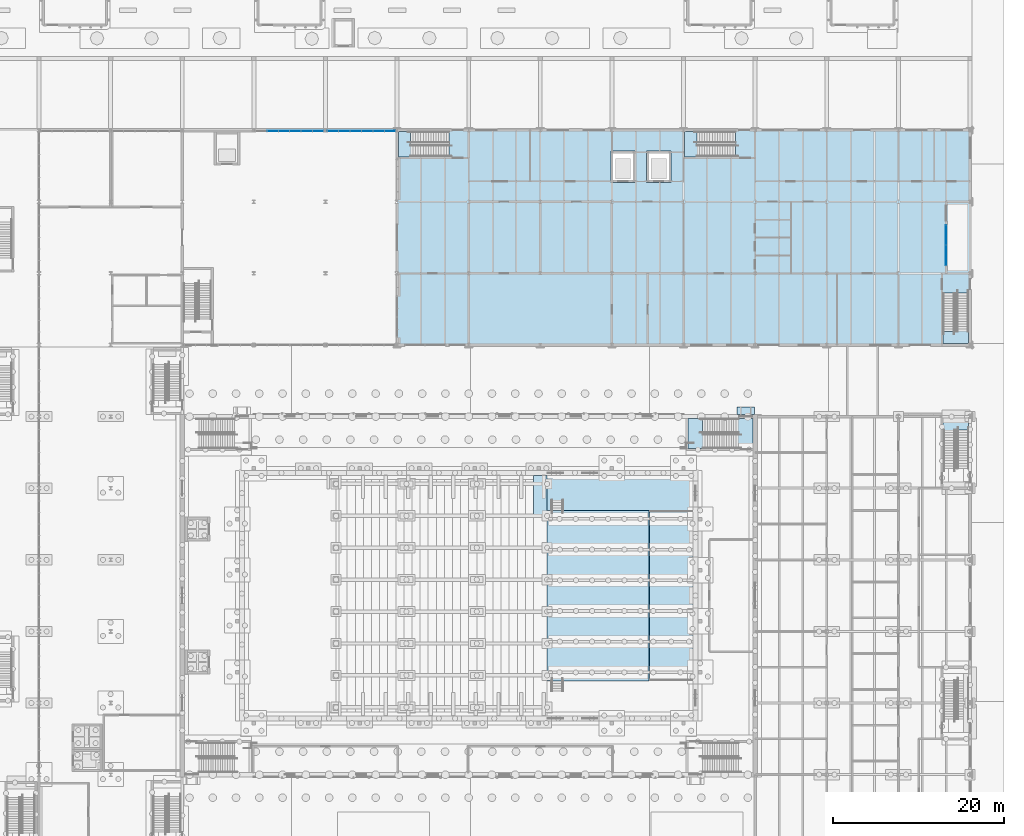
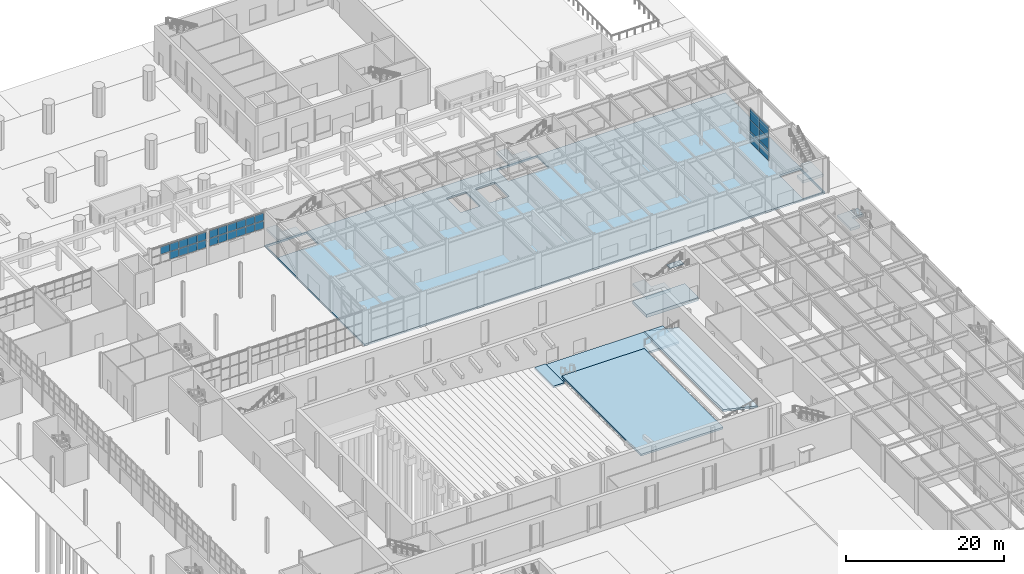
# One storey, part 52 of 127: 27 plates, 12 slabs, 8 elements without a shape of their own.
"""IFC4 building model written with IfcOpenShell, lengths in metres."""

from ifc_helpers import new_model, si_unit, direction, frame, origin, origin_2d, place, context, subcontext, project, spatial, polyline, rectangle, outline, extrude, material, layer, layer_set, type_object, element, aggregate, save


model = new_model("IFC4")

# Units and contexts
model_context = context("Model", 3, precision=1e-05, world=origin(), true_north=direction((0.0, 1.0)))
body_context = subcontext(model_context, "Body", "Model", "MODEL_VIEW")
ifc_project = project(units=[si_unit("LENGTHUNIT", "METRE"), si_unit("AREAUNIT", "SQUARE_METRE"), si_unit("VOLUMEUNIT", "CUBIC_METRE"), si_unit("PLANEANGLEUNIT", "RADIAN"), si_unit("MASSUNIT", "GRAM", prefix="KILO")], contexts=[model_context])

# Site, building, storey
site_placement = place(None, origin())
site = spatial("IfcSite", under=ifc_project, at=site_placement, CompositionType="ELEMENT")
building_placement = place(site_placement, origin())
building = spatial("IfcBuilding", under=site, at=building_placement, Name="Ljudholm Concert House", CompositionType="ELEMENT")
storey_placement = place(building_placement, origin())
storey = spatial("IfcBuildingStorey", under=building, at=storey_placement, Name="L00", CompositionType="ELEMENT", Elevation=0.0)

# Slab
ifc_material_1 = material(Name="Aluminium extrusion with warm-tone PVDF finish", Category="aluminium")
ifc_layer_1 = layer(ifc_material_1, 0.1201171875)
ifc_layer_set_1 = layer_set([ifc_layer_1], Name="Aluminium extrusion with warm-tone PVDF finish")
slab_type_1 = type_object("IfcSlabType", Name="CANOPY SOFFIT SLAB 120", PredefinedType="ROOF", material=ifc_layer_set_1)
slab_1_placement = place(storey_placement, frame((0.0, 0.0, 2.60009765625)))
element("IfcSlab", 1, at=slab_1_placement, inside=storey, type_object=slab_type_1, Name="Exit canopy lip", PredefinedType="ROOF", context=body_context, shape_type="SweptSolid", body=[
    extrude(outline(polyline([(94.300048828125, 96.64990234375), (96.300048828125, 96.64990234375), (96.300048828125, 97.550048828125), (94.300048828125, 97.550048828125), (94.300048828125, 96.64990234375)])), origin(), (0.0, 0.0, 1.0), 0.119873046875),
])

# Curtain wall, plates
ifc_material_2 = material(Name="Aluminium curtain wall with impact-rated laminated glass", Category="aluminium")
curtain_wall_type_1 = type_object("IfcCurtainWallType", Name="CURTAIN WALL 2400", PredefinedType="NOTDEFINED", material=ifc_material_2)
curtain_wall_1_placement = place(storey_placement, origin())
curtain_wall_1 = element("IfcCurtainWall", 2, at=curtain_wall_1_placement, inside=storey, type_object=curtain_wall_type_1, Name="Curtain wall", PredefinedType="NOTDEFINED")
ifc_material_3 = material(Name="Impact-rated laminated glass", Category="glass")
ifc_layer_2 = layer(ifc_material_3, 0.028076171875)
ifc_layer_set_2 = layer_set([ifc_layer_2], Name="Impact-rated laminated glass")
plate_type = type_object("IfcPlateType", Name="CURTAIN PANEL 28", PredefinedType="CURTAIN_PANEL", material=ifc_layer_set_2)
plate_1_placement = place(storey_placement, frame((118.800048828125, 115.31494140625, 0.06005859375), z_axis=(0.0, 0.0, 1.0), x_axis=(0.0, 1.0, 0.0)))
plate_1 = element("IfcPlate", 3, at=plate_1_placement, type_object=plate_type, Name="Curtain wall panel", PredefinedType="CURTAIN_PANEL", context=body_context, shape_type="SweptSolid", body=[
    extrude(rectangle(XDim=2.31005859375, YDim=0.028076171875, at=origin_2d()), origin(), (0.0, 0.0, 1.0), 1.7099609375),
])
plate_2_placement = place(storey_placement, frame((118.800048828125, 115.31494140625, 1.830078125), z_axis=(0.0, 0.0, 1.0), x_axis=(0.0, 1.0, 0.0)))
plate_2 = element("IfcPlate", 4, at=plate_2_placement, type_object=plate_type, Name="Curtain wall panel", PredefinedType="CURTAIN_PANEL", context=body_context, shape_type="SweptSolid", body=[
    extrude(rectangle(XDim=2.31005859375, YDim=0.028076171875, at=origin_2d()), origin(), (0.0, 0.0, 1.0), 1.739990234375),
])
plate_3_placement = place(storey_placement, frame((118.800048828125, 115.31494140625, 3.630126953125), z_axis=(0.0, 0.0, 1.0), x_axis=(0.0, 1.0, 0.0)))
plate_3 = element("IfcPlate", 5, at=plate_3_placement, type_object=plate_type, Name="Curtain wall panel", PredefinedType="CURTAIN_PANEL", context=body_context, shape_type="SweptSolid", body=[
    extrude(rectangle(XDim=2.31005859375, YDim=0.028076171875, at=origin_2d()), origin(), (0.0, 0.0, 1.0), 1.7099609375),
])
plate_4_placement = place(storey_placement, frame((118.800048828125, 117.68505859375, 0.06005859375), z_axis=(0.0, 0.0, 1.0), x_axis=(0.0, 1.0, 0.0)))
plate_4 = element("IfcPlate", 6, at=plate_4_placement, type_object=plate_type, Name="Curtain wall panel", PredefinedType="CURTAIN_PANEL", context=body_context, shape_type="SweptSolid", body=[
    extrude(rectangle(XDim=2.31005859375, YDim=0.028076171875, at=origin_2d()), origin(), (0.0, 0.0, 1.0), 1.7099609375),
])
plate_5_placement = place(storey_placement, frame((118.800048828125, 117.68505859375, 1.830078125), z_axis=(0.0, 0.0, 1.0), x_axis=(0.0, 1.0, 0.0)))
plate_5 = element("IfcPlate", 7, at=plate_5_placement, type_object=plate_type, Name="Curtain wall panel", PredefinedType="CURTAIN_PANEL", context=body_context, shape_type="SweptSolid", body=[
    extrude(rectangle(XDim=2.31005859375, YDim=0.028076171875, at=origin_2d()), origin(), (0.0, 0.0, 1.0), 1.739990234375),
])
plate_6_placement = place(storey_placement, frame((118.800048828125, 117.68505859375, 3.630126953125), z_axis=(0.0, 0.0, 1.0), x_axis=(0.0, 1.0, 0.0)))
plate_6 = element("IfcPlate", 8, at=plate_6_placement, type_object=plate_type, Name="Curtain wall panel", PredefinedType="CURTAIN_PANEL", context=body_context, shape_type="SweptSolid", body=[
    extrude(rectangle(XDim=2.31005859375, YDim=0.028076171875, at=origin_2d()), origin(), (0.0, 0.0, 1.0), 1.7099609375),
])
aggregate(curtain_wall_1, [plate_1, plate_2, plate_3, plate_4, plate_5, plate_6])

ifc_material_4 = material(Name="Aluminium curtain wall with impact-rated laminated glass", Category="aluminium")
curtain_wall_type_2 = type_object("IfcCurtainWallType", Name="CURTAIN WALL 1400", PredefinedType="NOTDEFINED", material=ifc_material_4)
curtain_wall_2_placement = place(storey_placement, origin())
curtain_wall_2 = element("IfcCurtainWall", 9, at=curtain_wall_2_placement, inside=storey, type_object=curtain_wall_type_2, Name="North curtain wall", PredefinedType="NOTDEFINED")
plate_7_placement = place(storey_placement, frame((39.794921875, 129.89990234375, 3.989990234375), z_axis=(0.0, 0.0, 1.0), x_axis=(1.0, 0.0, 0.0)))
plate_7 = element("IfcPlate", 10, at=plate_7_placement, type_object=plate_type, Name="Curtain wall panel", PredefinedType="CURTAIN_PANEL", context=body_context, shape_type="SweptSolid", body=[
    extrude(rectangle(XDim=1.276611328125, YDim=0.028076171875, at=origin_2d()), origin(), (0.0, 0.0, 1.0), 1.169921875),
])
plate_8_placement = place(storey_placement, frame((41.131591796875, 129.89990234375, 2.760009765625), z_axis=(0.0, 0.0, 1.0), x_axis=(1.0, 0.0, 0.0)))
plate_8 = element("IfcPlate", 11, at=plate_8_placement, type_object=plate_type, Name="Curtain wall panel", PredefinedType="CURTAIN_PANEL", context=body_context, shape_type="SweptSolid", body=[
    extrude(rectangle(XDim=1.276611328125, YDim=0.028076171875, at=origin_2d()), origin(), (0.0, 0.0, 1.0), 1.169921875),
])
plate_9_placement = place(storey_placement, frame((41.131591796875, 129.89990234375, 3.989990234375), z_axis=(0.0, 0.0, 1.0), x_axis=(1.0, 0.0, 0.0)))
plate_9 = element("IfcPlate", 12, at=plate_9_placement, type_object=plate_type, Name="Curtain wall panel", PredefinedType="CURTAIN_PANEL", context=body_context, shape_type="SweptSolid", body=[
    extrude(rectangle(XDim=1.276611328125, YDim=0.028076171875, at=origin_2d()), origin(), (0.0, 0.0, 1.0), 1.169921875),
])
plate_10_placement = place(storey_placement, frame((42.46826171875, 129.89990234375, 2.760009765625), z_axis=(0.0, 0.0, 1.0), x_axis=(1.0, 0.0, 0.0)))
plate_10 = element("IfcPlate", 13, at=plate_10_placement, type_object=plate_type, Name="Curtain wall panel", PredefinedType="CURTAIN_PANEL", context=body_context, shape_type="SweptSolid", body=[
    extrude(rectangle(XDim=1.276611328125, YDim=0.028076171875, at=origin_2d()), origin(), (0.0, 0.0, 1.0), 1.169921875),
])
plate_11_placement = place(storey_placement, frame((42.46826171875, 129.89990234375, 3.989990234375), z_axis=(0.0, 0.0, 1.0), x_axis=(1.0, 0.0, 0.0)))
plate_11 = element("IfcPlate", 14, at=plate_11_placement, type_object=plate_type, Name="Curtain wall panel", PredefinedType="CURTAIN_PANEL", context=body_context, shape_type="SweptSolid", body=[
    extrude(rectangle(XDim=1.276611328125, YDim=0.028076171875, at=origin_2d()), origin(), (0.0, 0.0, 1.0), 1.169921875),
])
plate_12_placement = place(storey_placement, frame((43.804931640625, 129.89990234375, 2.760009765625), z_axis=(0.0, 0.0, 1.0), x_axis=(1.0, 0.0, 0.0)))
plate_12 = element("IfcPlate", 15, at=plate_12_placement, type_object=plate_type, Name="Curtain wall panel", PredefinedType="CURTAIN_PANEL", context=body_context, shape_type="SweptSolid", body=[
    extrude(rectangle(XDim=1.276611328125, YDim=0.028076171875, at=origin_2d()), origin(), (0.0, 0.0, 1.0), 1.169921875),
])
plate_13_placement = place(storey_placement, frame((43.804931640625, 129.89990234375, 3.989990234375), z_axis=(0.0, 0.0, 1.0), x_axis=(1.0, 0.0, 0.0)))
plate_13 = element("IfcPlate", 16, at=plate_13_placement, type_object=plate_type, Name="Curtain wall panel", PredefinedType="CURTAIN_PANEL", context=body_context, shape_type="SweptSolid", body=[
    extrude(rectangle(XDim=1.276611328125, YDim=0.028076171875, at=origin_2d()), origin(), (0.0, 0.0, 1.0), 1.169921875),
])
plate_14_placement = place(storey_placement, frame((45.126708984375, 129.89990234375, 2.760009765625), z_axis=(0.0, 0.0, 1.0), x_axis=(1.0, 0.0, 0.0)))
plate_14 = element("IfcPlate", 17, at=plate_14_placement, type_object=plate_type, Name="Curtain wall panel", PredefinedType="CURTAIN_PANEL", context=body_context, shape_type="SweptSolid", body=[
    extrude(rectangle(XDim=1.24658203125, YDim=0.028076171875, at=origin_2d()), origin(), (0.0, 0.0, 1.0), 1.169921875),
])
plate_15_placement = place(storey_placement, frame((45.126708984375, 129.89990234375, 3.989990234375), z_axis=(0.0, 0.0, 1.0), x_axis=(1.0, 0.0, 0.0)))
plate_15 = element("IfcPlate", 18, at=plate_15_placement, type_object=plate_type, Name="Curtain wall panel", PredefinedType="CURTAIN_PANEL", context=body_context, shape_type="SweptSolid", body=[
    extrude(rectangle(XDim=1.24658203125, YDim=0.028076171875, at=origin_2d()), origin(), (0.0, 0.0, 1.0), 1.169921875),
])
aggregate(curtain_wall_2, [plate_7, plate_8, plate_9, plate_10, plate_11, plate_12, plate_13, plate_14, plate_15])

curtain_wall_3_placement = place(storey_placement, origin())
curtain_wall_3 = element("IfcCurtainWall", 19, at=curtain_wall_3_placement, inside=storey, type_object=curtain_wall_type_2, Name="North curtain wall", PredefinedType="NOTDEFINED")
plate_16_placement = place(storey_placement, frame((46.876708984375, 129.89990234375, 2.760009765625), z_axis=(0.0, 0.0, 1.0), x_axis=(1.0, 0.0, 0.0)))
plate_16 = element("IfcPlate", 20, at=plate_16_placement, type_object=plate_type, Name="Curtain wall panel", PredefinedType="CURTAIN_PANEL", context=body_context, shape_type="SweptSolid", body=[
    extrude(rectangle(XDim=1.25341796875, YDim=0.028076171875, at=origin_2d()), origin(), (0.0, 0.0, 1.0), 1.169921875),
])
plate_17_placement = place(storey_placement, frame((46.876708984375, 129.89990234375, 3.989990234375), z_axis=(0.0, 0.0, 1.0), x_axis=(1.0, 0.0, 0.0)))
plate_17 = element("IfcPlate", 21, at=plate_17_placement, type_object=plate_type, Name="Curtain wall panel", PredefinedType="CURTAIN_PANEL", context=body_context, shape_type="SweptSolid", body=[
    extrude(rectangle(XDim=1.25341796875, YDim=0.028076171875, at=origin_2d()), origin(), (0.0, 0.0, 1.0), 1.169921875),
])
plate_18_placement = place(storey_placement, frame((48.205078125, 129.89990234375, 2.760009765625), z_axis=(0.0, 0.0, 1.0), x_axis=(1.0, 0.0, 0.0)))
plate_18 = element("IfcPlate", 22, at=plate_18_placement, type_object=plate_type, Name="Curtain wall panel", PredefinedType="CURTAIN_PANEL", context=body_context, shape_type="SweptSolid", body=[
    extrude(rectangle(XDim=1.283447265625, YDim=0.028076171875, at=origin_2d()), origin(), (0.0, 0.0, 1.0), 1.169921875),
])
plate_19_placement = place(storey_placement, frame((48.205078125, 129.89990234375, 3.989990234375), z_axis=(0.0, 0.0, 1.0), x_axis=(1.0, 0.0, 0.0)))
plate_19 = element("IfcPlate", 23, at=plate_19_placement, type_object=plate_type, Name="Curtain wall panel", PredefinedType="CURTAIN_PANEL", context=body_context, shape_type="SweptSolid", body=[
    extrude(rectangle(XDim=1.283447265625, YDim=0.028076171875, at=origin_2d()), origin(), (0.0, 0.0, 1.0), 1.169921875),
])
plate_20_placement = place(storey_placement, frame((49.54833984375, 129.89990234375, 2.760009765625), z_axis=(0.0, 0.0, 1.0), x_axis=(1.0, 0.0, 0.0)))
plate_20 = element("IfcPlate", 24, at=plate_20_placement, type_object=plate_type, Name="Curtain wall panel", PredefinedType="CURTAIN_PANEL", context=body_context, shape_type="SweptSolid", body=[
    extrude(rectangle(XDim=1.283447265625, YDim=0.028076171875, at=origin_2d()), origin(), (0.0, 0.0, 1.0), 1.169921875),
])
plate_21_placement = place(storey_placement, frame((49.54833984375, 129.89990234375, 3.989990234375), z_axis=(0.0, 0.0, 1.0), x_axis=(1.0, 0.0, 0.0)))
plate_21 = element("IfcPlate", 25, at=plate_21_placement, type_object=plate_type, Name="Curtain wall panel", PredefinedType="CURTAIN_PANEL", context=body_context, shape_type="SweptSolid", body=[
    extrude(rectangle(XDim=1.283447265625, YDim=0.028076171875, at=origin_2d()), origin(), (0.0, 0.0, 1.0), 1.169921875),
])
plate_22_placement = place(storey_placement, frame((50.8916015625, 129.89990234375, 2.760009765625), z_axis=(0.0, 0.0, 1.0), x_axis=(1.0, 0.0, 0.0)))
plate_22 = element("IfcPlate", 26, at=plate_22_placement, type_object=plate_type, Name="Curtain wall panel", PredefinedType="CURTAIN_PANEL", context=body_context, shape_type="SweptSolid", body=[
    extrude(rectangle(XDim=1.283447265625, YDim=0.028076171875, at=origin_2d()), origin(), (0.0, 0.0, 1.0), 1.169921875),
])
plate_23_placement = place(storey_placement, frame((50.8916015625, 129.89990234375, 3.989990234375), z_axis=(0.0, 0.0, 1.0), x_axis=(1.0, 0.0, 0.0)))
plate_23 = element("IfcPlate", 27, at=plate_23_placement, type_object=plate_type, Name="Curtain wall panel", PredefinedType="CURTAIN_PANEL", context=body_context, shape_type="SweptSolid", body=[
    extrude(rectangle(XDim=1.283447265625, YDim=0.028076171875, at=origin_2d()), origin(), (0.0, 0.0, 1.0), 1.169921875),
])
plate_24_placement = place(storey_placement, frame((52.235107421875, 129.89990234375, 2.760009765625), z_axis=(0.0, 0.0, 1.0), x_axis=(1.0, 0.0, 0.0)))
plate_24 = element("IfcPlate", 28, at=plate_24_placement, type_object=plate_type, Name="Curtain wall panel", PredefinedType="CURTAIN_PANEL", context=body_context, shape_type="SweptSolid", body=[
    extrude(rectangle(XDim=1.283447265625, YDim=0.028076171875, at=origin_2d()), origin(), (0.0, 0.0, 1.0), 1.169921875),
])
plate_25_placement = place(storey_placement, frame((52.235107421875, 129.89990234375, 3.989990234375), z_axis=(0.0, 0.0, 1.0), x_axis=(1.0, 0.0, 0.0)))
plate_25 = element("IfcPlate", 29, at=plate_25_placement, type_object=plate_type, Name="Curtain wall panel", PredefinedType="CURTAIN_PANEL", context=body_context, shape_type="SweptSolid", body=[
    extrude(rectangle(XDim=1.283447265625, YDim=0.028076171875, at=origin_2d()), origin(), (0.0, 0.0, 1.0), 1.169921875),
])
plate_26_placement = place(storey_placement, frame((53.563232421875, 129.89990234375, 2.760009765625), z_axis=(0.0, 0.0, 1.0), x_axis=(1.0, 0.0, 0.0)))
plate_26 = element("IfcPlate", 30, at=plate_26_placement, type_object=plate_type, Name="Curtain wall panel", PredefinedType="CURTAIN_PANEL", context=body_context, shape_type="SweptSolid", body=[
    extrude(rectangle(XDim=1.25341796875, YDim=0.028076171875, at=origin_2d()), origin(), (0.0, 0.0, 1.0), 1.169921875),
])
plate_27_placement = place(storey_placement, frame((53.563232421875, 129.89990234375, 3.989990234375), z_axis=(0.0, 0.0, 1.0), x_axis=(1.0, 0.0, 0.0)))
plate_27 = element("IfcPlate", 31, at=plate_27_placement, type_object=plate_type, Name="Curtain wall panel", PredefinedType="CURTAIN_PANEL", context=body_context, shape_type="SweptSolid", body=[
    extrude(rectangle(XDim=1.25341796875, YDim=0.028076171875, at=origin_2d()), origin(), (0.0, 0.0, 1.0), 1.169921875),
])
aggregate(curtain_wall_3, [plate_16, plate_17, plate_18, plate_19, plate_20, plate_21, plate_22, plate_23, plate_24, plate_25, plate_26, plate_27])

# Slabs
ifc_material_5 = material(Name="Concrete 5,000 psi", Category="concrete")
ifc_layer_3 = layer(ifc_material_5, 0.300048828125)
ifc_layer_set_3 = layer_set([ifc_layer_3], Name="Concrete 5,000 psi")
slab_type_2 = type_object("IfcSlabType", Name="RAKED TIER SLAB 300", PredefinedType="USERDEFINED", material=ifc_layer_set_3)
slab_2_placement = place(storey_placement, frame((89.10009765625, 65.39990234375, 2.25), z_axis=(0.229026347537, 0.0, 0.973420223816), x_axis=(0.0, 1.0, 0.0)))
element("IfcSlab", 32, at=slab_2_placement, inside=storey, type_object=slab_type_2, Name="Stand Choir 1", ObjectType="SEATING TIER", PredefinedType="USERDEFINED", context=body_context, shape_type="SweptSolid", body=[
    extrude(outline(polyline([(0.0, 0.0), (20.0, 0.0), (20.0, 5.239358636147266), (0.0, 5.239358636147266), (0.0, 0.0)])), origin(), (0.0, 0.0, -1.0), 0.300048828125),
])
ifc_material_6 = material(Name="Concrete 5,000 psi", Category="concrete")
ifc_layer_4 = layer(ifc_material_6, 0.5)
ifc_layer_set_4 = layer_set([ifc_layer_4], Name="Concrete 5,000 psi")
slab_type_3 = type_object("IfcSlabType", Name="RC BASE SLAB 500", PredefinedType="BASESLAB", material=ifc_layer_set_4)
slab_3_placement = place(storey_placement, frame((0.0, 0.0, -0.5)))
element("IfcSlab", 33, at=slab_3_placement, inside=storey, type_object=slab_type_3, Name="Stair floor on grade EH4", PredefinedType="BASESLAB", context=body_context, shape_type="SweptSolid", body=[
    extrude(outline(polyline([(88.550048828125, 92.64990234375), (96.14990234375, 92.64990234375), (96.14990234375, 96.14990234375), (88.550048828125, 96.14990234375), (88.550048828125, 92.64990234375)])), origin(), (0.0, 0.0, 1.0), 0.5),
])
ifc_material_7 = material(Name="Concrete 5,000 psi", Category="concrete")
ifc_layer_5 = layer(ifc_material_7, 0.300048828125)
ifc_layer_set_5 = layer_set([ifc_layer_5], Name="Concrete 5,000 psi")
slab_type_4 = type_object("IfcSlabType", Name="RC FLOOR SLAB 300", PredefinedType="FLOOR", material=ifc_layer_set_5)
slab_4_placement = place(storey_placement, frame((0.0, 0.0, 0.449951171875)))
element("IfcSlab", 34, at=slab_4_placement, inside=storey, type_object=slab_type_4, Name="Concert platform", PredefinedType="FLOOR", context=body_context, shape_type="SweptSolid", body=[
    extrude(outline(polyline([(72.0, 65.39990234375), (84.0, 65.39990234375), (84.0, 85.39990234375), (72.0, 85.39990234375), (72.0, 65.39990234375)])), origin(), (0.0, 0.0, 1.0), 0.300048828125),
])
slab_5_placement = place(storey_placement, frame((0.0, 0.0, -0.300048828125)))
element("IfcSlab", 35, at=slab_5_placement, inside=storey, type_object=slab_type_4, Name="Stage wing floor", PredefinedType="FLOOR", context=body_context, shape_type="SweptSolid", body=[
    extrude(outline(polyline([(72.0, 85.39990234375), (89.10009765625, 85.39990234375), (89.10009765625, 89.5), (72.0, 89.5), (72.0, 85.39990234375)])), origin(), (0.0, 0.0, 1.0), 0.300048828125),
])
slab_6_placement = place(storey_placement, frame((0.0, 0.0, -0.18359375)))
element("IfcSlab", 36, at=slab_6_placement, inside=storey, type_object=slab_type_4, Name="Wheelchair platform", PredefinedType="FLOOR", context=body_context, shape_type="SweptSolid", body=[
    extrude(outline(polyline([(70.39990234375, 84.699951171875), (72.0, 84.699951171875), (72.0, 89.5), (70.39990234375, 89.5), (70.39990234375, 84.699951171875)])), origin(), (0.0, 0.0, 1.0), 0.300048828125),
])
slab_7_placement = place(storey_placement, frame((0.0, 0.0, -0.300048828125)))
element("IfcSlab", 37, at=slab_7_placement, inside=storey, type_object=slab_type_4, Name="Ground floor deck over basement", PredefinedType="FLOOR", context=body_context, shape_type="SweptSolid", body=[
    extrude(outline(polyline([(54.39990234375, 130.0), (121.60009765625, 130.0), (121.60009765625, 104.800048828125), (54.39990234375, 104.800048828125), (54.39990234375, 130.0)]), holes=[polyline([(121.449951171875, 110.87451171875), (118.449951171875, 110.87451171875), (118.449951171875, 104.949951171875), (121.449951171875, 104.949951171875), (121.449951171875, 110.87451171875)]), polyline([(79.47509765625, 127.52490234375), (79.47509765625, 123.875), (82.324951171875, 123.875), (82.324951171875, 127.52490234375), (79.47509765625, 127.52490234375)]), polyline([(83.675048828125, 127.52490234375), (83.675048828125, 123.875), (86.52490234375, 123.875), (86.52490234375, 127.52490234375), (83.675048828125, 127.52490234375)]), polyline([(54.550048828125, 126.85009765625), (60.474609375, 126.85009765625), (60.474609375, 129.85009765625), (54.550048828125, 129.85009765625), (54.550048828125, 126.85009765625)]), polyline([(88.125, 126.85009765625), (94.074462890625, 126.85009765625), (94.074462890625, 129.85009765625), (88.125, 129.85009765625), (88.125, 126.85009765625)])]), origin(), (0.0, 0.0, 1.0), 0.300048828125),
])

# Stair, slab
ifc_material_8 = material(Name="Concrete 5,000 psi", Category="concrete")
stair_type_1 = type_object("IfcStairType", Name="RC STAIR 1700x169x280", PredefinedType="HALF_TURN_STAIR", material=ifc_material_8)
stair_1_placement = place(storey_placement, origin())
stair_1 = element("IfcStair", 38, at=stair_1_placement, inside=storey, type_object=stair_type_1, Name="Exit stair EH4", PredefinedType="HALF_TURN_STAIR")
ifc_material_9 = material(Name="Concrete 5,000 psi", Category="concrete")
ifc_layer_6 = layer(ifc_material_9, 0.409912109375)
ifc_layer_set_6 = layer_set([ifc_layer_6], Name="Concrete 5,000 psi")
slab_type_5 = type_object("IfcSlabType", Name="RC LANDING 410", PredefinedType="LANDING", material=ifc_layer_set_6)
slab_8_placement = place(storey_placement, frame((0.0, 0.0, 2.2900390625)))
slab_8 = element("IfcSlab", 39, at=slab_8_placement, type_object=slab_type_5, Name="Stair landing", PredefinedType="LANDING", context=body_context, shape_type="SweptSolid", body=[
    extrude(outline(polyline([(92.080078125, 92.64990234375), (92.080078125, 94.35009765625), (90.25048828125, 94.35009765625), (90.25048828125, 96.14990234375), (88.550048828125, 96.14990234375), (88.550048828125, 92.64990234375), (92.080078125, 92.64990234375)])), origin(), (0.0, 0.0, 1.0), 0.409912109375),
])
aggregate(stair_1, [slab_8])

ifc_material_10 = material(Name="Concrete 5,000 psi", Category="concrete")
stair_type_2 = type_object("IfcStairType", Name="RC STAIR 1350x169x300", PredefinedType="HALF_TURN_STAIR", material=ifc_material_10)
stair_2_placement = place(storey_placement, origin())
stair_2 = element("IfcStair", 40, at=stair_2_placement, inside=storey, type_object=stair_type_2, Name="Stair SB4", PredefinedType="HALF_TURN_STAIR")
slab_9_placement = place(storey_placement, frame((0.0, 0.0, 2.2900390625)))
slab_9 = element("IfcSlab", 41, at=slab_9_placement, type_object=slab_type_5, Name="Stair landing", PredefinedType="LANDING", context=body_context, shape_type="SweptSolid", body=[
    extrude(outline(polyline([(118.449951171875, 92.875), (119.85009765625, 92.875), (119.85009765625, 94.824462890625), (121.449951171875, 94.824462890625), (121.449951171875, 96.25), (118.449951171875, 96.25), (118.449951171875, 92.875)])), origin(), (0.0, 0.0, 1.0), 0.409912109375),
])
aggregate(stair_2, [slab_9])

stair_3_placement = place(storey_placement, origin())
stair_3 = element("IfcStair", 42, at=stair_3_placement, inside=storey, type_object=stair_type_2, Name="Stair R1", PredefinedType="HALF_TURN_STAIR")
slab_10_placement = place(storey_placement, frame((0.0, 0.0, 2.2900390625)))
slab_10 = element("IfcSlab", 43, at=slab_10_placement, type_object=slab_type_5, Name="Stair landing", PredefinedType="LANDING", context=body_context, shape_type="SweptSolid", body=[
    extrude(outline(polyline([(57.925048828125, 126.85009765625), (57.925048828125, 128.25), (55.9755859375, 128.25), (55.9755859375, 129.85009765625), (54.550048828125, 129.85009765625), (54.550048828125, 126.85009765625), (57.925048828125, 126.85009765625)])), origin(), (0.0, 0.0, 1.0), 0.409912109375),
])
aggregate(stair_3, [slab_10])

stair_4_placement = place(storey_placement, origin())
stair_4 = element("IfcStair", 44, at=stair_4_placement, inside=storey, type_object=stair_type_2, Name="Stair R2", PredefinedType="HALF_TURN_STAIR")
slab_11_placement = place(storey_placement, frame((0.0, 0.0, 2.2900390625)))
slab_11 = element("IfcSlab", 45, at=slab_11_placement, type_object=slab_type_5, Name="Stair landing", PredefinedType="LANDING", context=body_context, shape_type="SweptSolid", body=[
    extrude(outline(polyline([(91.52490234375, 126.85009765625), (91.52490234375, 128.25), (89.575439453125, 128.25), (89.575439453125, 129.85009765625), (88.125, 129.85009765625), (88.125, 126.85009765625), (91.52490234375, 126.85009765625)])), origin(), (0.0, 0.0, 1.0), 0.409912109375),
])
aggregate(stair_4, [slab_11])

stair_5_placement = place(storey_placement, origin())
stair_5 = element("IfcStair", 46, at=stair_5_placement, inside=storey, type_object=stair_type_2, Name="Stair R3", PredefinedType="HALF_TURN_STAIR")
slab_12_placement = place(storey_placement, frame((0.0, 0.0, 2.2900390625)))
slab_12 = element("IfcSlab", 47, at=slab_12_placement, type_object=slab_type_5, Name="Stair landing", PredefinedType="LANDING", context=body_context, shape_type="SweptSolid", body=[
    extrude(outline(polyline([(121.449951171875, 108.324951171875), (120.050048828125, 108.324951171875), (120.050048828125, 106.37548828125), (118.449951171875, 106.37548828125), (118.449951171875, 104.949951171875), (121.449951171875, 104.949951171875), (121.449951171875, 108.324951171875)])), origin(), (0.0, 0.0, 1.0), 0.409912109375),
])
aggregate(stair_5, [slab_12])

save(model, "model.ifc")
